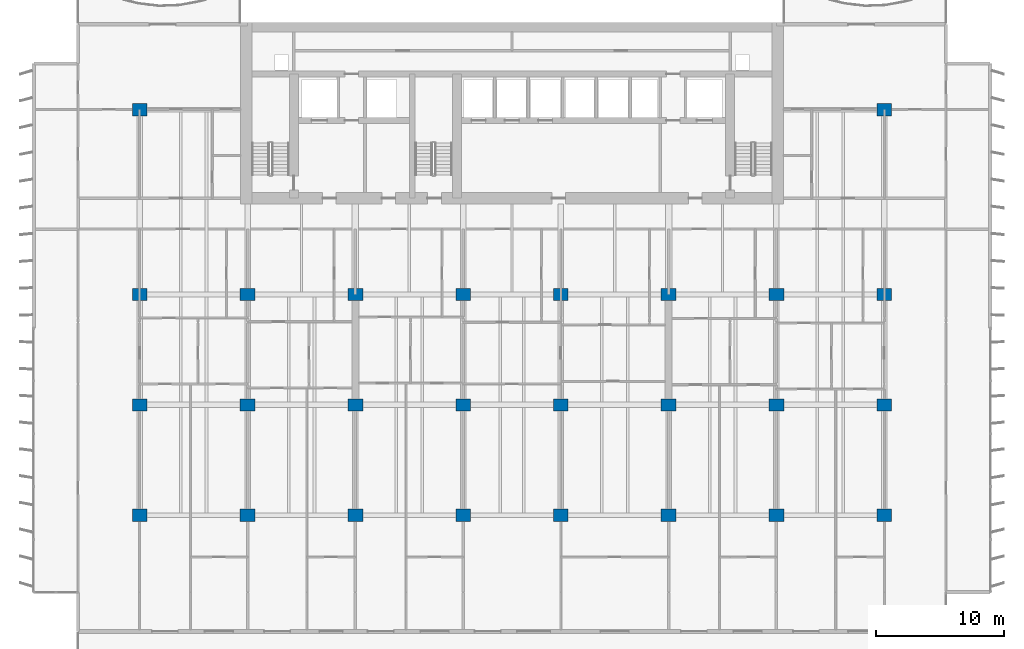
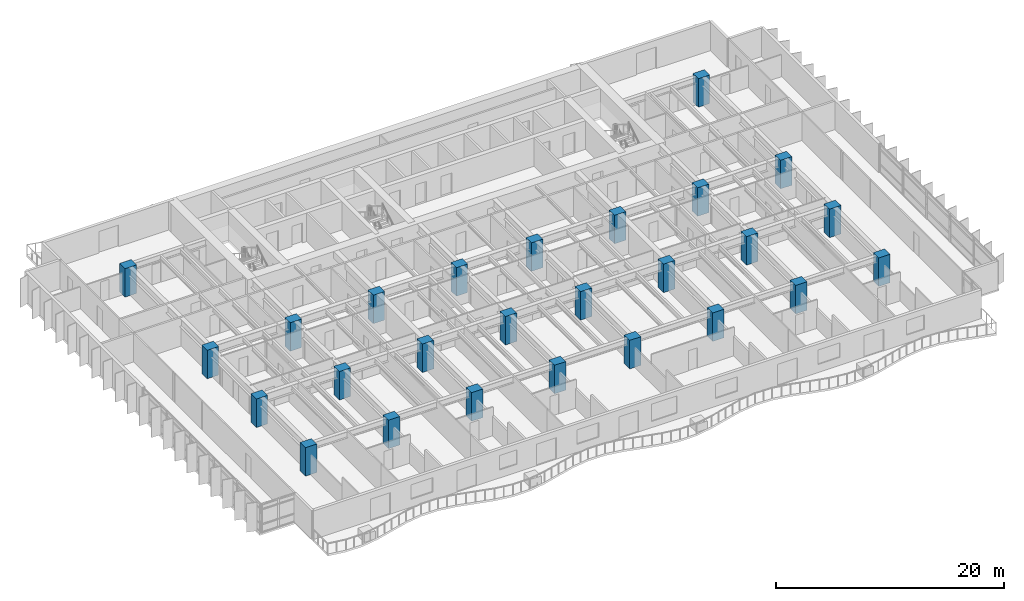
# One storey, part 1 of 17: 26 columns.
"""IFC4 building model written with IfcOpenShell, lengths in metres."""

from ifc_helpers import new_model, si_unit, direction, frame, origin, origin_2d, place, context, subcontext, project, spatial, rectangle, extrude, material, material_profile, profile_set, type_object, element, save


model = new_model("IFC4")

# Units and contexts
model_context = context("Model", 3, precision=1e-05, world=origin(), true_north=direction((0.0, 1.0)))
body_context = subcontext(model_context, "Body", "Model", "MODEL_VIEW")
ifc_project = project(units=[si_unit("LENGTHUNIT", "METRE"), si_unit("AREAUNIT", "SQUARE_METRE"), si_unit("VOLUMEUNIT", "CUBIC_METRE"), si_unit("PLANEANGLEUNIT", "RADIAN"), si_unit("MASSUNIT", "GRAM", prefix="KILO")], contexts=[model_context])

# Site, building, storey
site_placement = place(None, origin())
site = spatial("IfcSite", under=ifc_project, at=site_placement, CompositionType="ELEMENT")
building_placement = place(site_placement, origin())
building = spatial("IfcBuilding", under=site, at=building_placement, Name="Caelmar Bay Residences", CompositionType="ELEMENT")
storey_placement = place(building_placement, frame((0.0, 0.0, 33.300048828125)))
storey = spatial("IfcBuildingStorey", under=building, at=storey_placement, Name="L07", CompositionType="ELEMENT", Elevation=33.300048828125)

# Columns
ifc_material = material(Name="Concrete f'c 70 MPa (10,000 psi)", Category="concrete")
ifc_material_profile = material_profile(ifc_material, rectangle(XDim=1.14990234375, YDim=0.949951171875, at=origin_2d()), Name="RC-COL-1150X950")
ifc_profile_set = profile_set([ifc_material_profile], Name="Concrete f'c 70 MPa (10,000 psi)")
column_type = type_object("IfcColumnType", Name="COL-RC-1150X950", PredefinedType="COLUMN", material=ifc_profile_set)
for number, where, z_axis, x_axis, name in (
    (1, (9.89990234375, 12.199951171875, 0.0), (0.0, 0.0, 1.0), (1.0, 0.0, 0.0), "L07 Column (9.90,12.20)"),
    (2, (18.300048828125, 12.199951171875, 0.0), (0.0, 0.0, 1.0), (1.0, 0.0, 0.0), "L07 Column (18.30,12.20)"),
    (3, (26.699951171875, 12.199951171875, 0.0), (0.0, 0.0, 1.0), (1.0, 0.0, 0.0), "L07 Column (26.70,12.20)"),
    (4, (35.10009765625, 12.199951171875, 0.0), (0.0, 0.0, 1.0), (1.0, 0.0, 0.0), "L07 Column (35.10,12.20)"),
    (5, (42.699951171875, 12.199951171875, 0.0), (0.0, 0.0, 1.0), (1.0, 0.0, 0.0), "L07 Column (42.70,12.20)"),
    (6, (51.10009765625, 12.199951171875, 0.0), (0.0, 0.0, 1.0), (1.0, 0.0, 0.0), "L07 Column (51.10,12.20)"),
    (7, (59.5, 12.199951171875, 0.0), (0.0, 0.0, 1.0), (1.0, 0.0, 0.0), "L07 Column (59.50,12.20)"),
    (8, (67.89990234375, 12.199951171875, 0.0), (0.0, 0.0, 1.0), (1.0, 0.0, 0.0), "L07 Column (67.90,12.20)"),
    (9, (9.89990234375, 20.800048828125, 0.0), (0.0, 0.0, 1.0), (1.0, 0.0, 0.0), "L07 Column (9.90,20.80)"),
    (10, (18.300048828125, 20.800048828125, 0.0), (0.0, 0.0, 1.0), (1.0, 0.0, 0.0), "L07 Column (18.30,20.80)"),
    (11, (26.699951171875, 20.800048828125, 0.0), (0.0, 0.0, 1.0), (1.0, 0.0, 0.0), "L07 Column (26.70,20.80)"),
    (12, (35.10009765625, 20.800048828125, 0.0), (0.0, 0.0, 1.0), (1.0, 0.0, 0.0), "L07 Column (35.10,20.80)"),
    (13, (42.699951171875, 20.800048828125, 0.0), (0.0, 0.0, 1.0), (1.0, 0.0, 0.0), "L07 Column (42.70,20.80)"),
    (14, (51.10009765625, 20.800048828125, 0.0), (0.0, 0.0, 1.0), (1.0, 0.0, 0.0), "L07 Column (51.10,20.80)"),
    (15, (59.5, 20.800048828125, 0.0), (0.0, 0.0, 1.0), (1.0, 0.0, 0.0), "L07 Column (59.50,20.80)"),
    (16, (67.89990234375, 20.800048828125, 0.0), (0.0, 0.0, 1.0), (1.0, 0.0, 0.0), "L07 Column (67.90,20.80)"),
    (17, (9.89990234375, 29.39990234375, 0.0), (0.0, 0.0, 1.0), (1.0, 0.0, 0.0), "L07 Column (9.90,29.40)"),
    (18, (18.300048828125, 29.39990234375, 0.0), (0.0, 0.0, 1.0), (1.0, 0.0, 0.0), "L07 Column (18.30,29.40)"),
    (19, (26.699951171875, 29.39990234375, 0.0), (0.0, 0.0, 1.0), (1.0, 0.0, 0.0), "L07 Column (26.70,29.40)"),
    (20, (35.10009765625, 29.39990234375, 0.0), (0.0, 0.0, 1.0), (1.0, 0.0, 0.0), "L07 Column (35.10,29.40)"),
    (21, (42.699951171875, 29.39990234375, 0.0), (0.0, 0.0, 1.0), (1.0, 0.0, 0.0), "L07 Column (42.70,29.40)"),
    (22, (51.10009765625, 29.39990234375, 0.0), (0.0, 0.0, 1.0), (1.0, 0.0, 0.0), "L07 Column (51.10,29.40)"),
    (23, (59.5, 29.39990234375, 0.0), (0.0, 0.0, 1.0), (1.0, 0.0, 0.0), "L07 Column (59.50,29.40)"),
    (24, (67.89990234375, 29.39990234375, 0.0), (0.0, 0.0, 1.0), (1.0, 0.0, 0.0), "L07 Column (67.90,29.40)"),
    (25, (9.89990234375, 43.800048828125, 0.0), (0.0, 0.0, 1.0), (1.0, 0.0, 0.0), "L07 Column (9.90,43.80)"),
    (26, (67.89990234375, 43.800048828125, 0.0), (0.0, 0.0, 1.0), (1.0, 0.0, 0.0), "L07 Column (67.90,43.80)"),
):
    element("IfcColumn", number, at=place(storey_placement, frame(where, z_axis=z_axis, x_axis=x_axis)), inside=storey, type_object=column_type, Name=name, PredefinedType="COLUMN", context=body_context, shape_type="SweptSolid", body=[
        extrude(rectangle(XDim=1.14990234375, YDim=0.949951171875, at=origin_2d()), origin(), (0.0, 0.0, 1.0), 3.050048828125),
    ])

save(model, "model.ifc")
